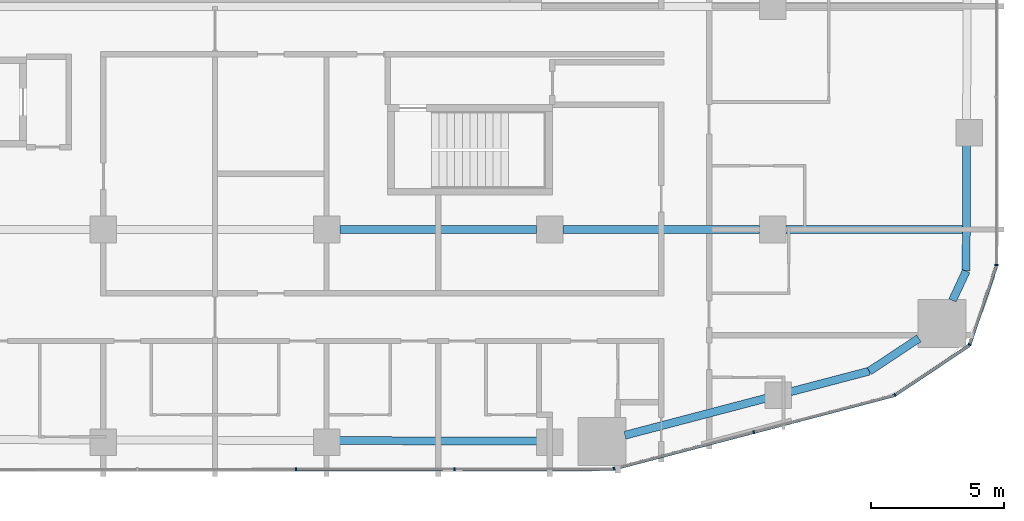
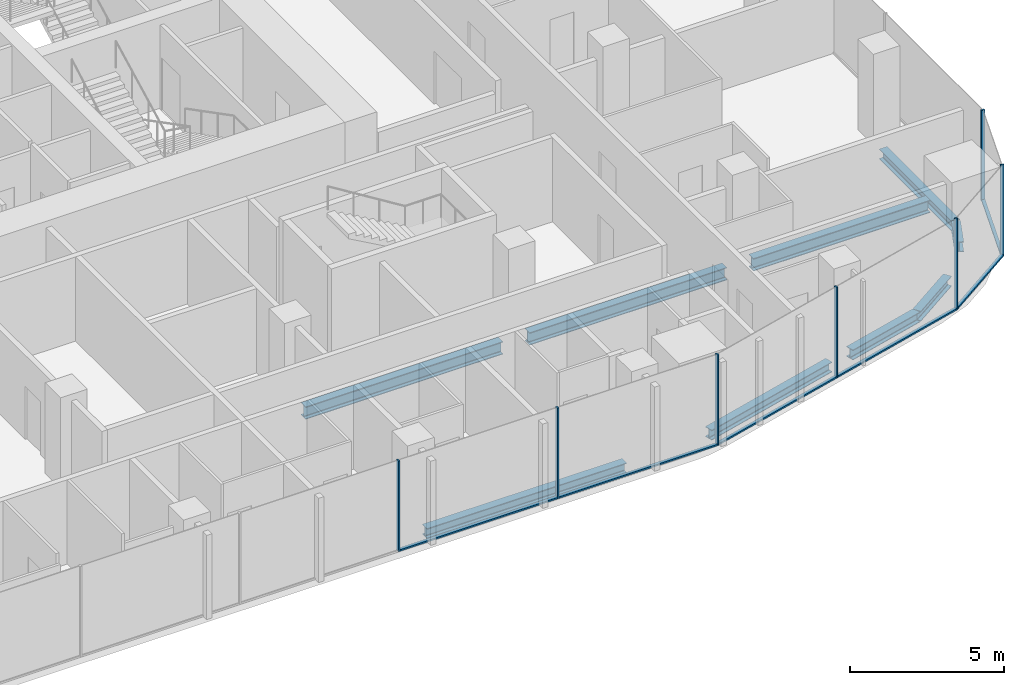
# One storey, part 6 of 26: 13 members, 9 beams, 5 elements without a shape of their own.
"""IFC4 building model written with IfcOpenShell, lengths in metres."""

from ifc_helpers import new_model, si_unit, direction, frame, origin, origin_2d, place, context, subcontext, project, spatial, rectangle, i_section, extrude, material, layer, layer_set, material_profile, profile_set, type_object, element, aggregate, save


model = new_model("IFC4")

# Units and contexts
model_context = context("Model", 3, precision=1e-05, world=origin(), true_north=direction((0.0, 1.0)))
body_context = subcontext(model_context, "Body", "Model", "MODEL_VIEW")
ifc_project = project(units=[si_unit("LENGTHUNIT", "METRE"), si_unit("AREAUNIT", "SQUARE_METRE"), si_unit("VOLUMEUNIT", "CUBIC_METRE"), si_unit("PLANEANGLEUNIT", "RADIAN"), si_unit("MASSUNIT", "GRAM", prefix="KILO")], contexts=[model_context])

# Site, building, storey
site_placement = place(None, origin())
site = spatial("IfcSite", under=ifc_project, at=site_placement, CompositionType="ELEMENT")
building_placement = place(site_placement, origin())
building = spatial("IfcBuilding", under=site, at=building_placement, Name="Marenta Gate Hotel Tower", CompositionType="ELEMENT")
storey_placement = place(building_placement, frame((0.0, 0.0, 65.300048828125)))
storey = spatial("IfcBuildingStorey", under=building, at=storey_placement, Name="L14", CompositionType="ELEMENT", Elevation=65.300048828125)

# Beams
ifc_material_1 = material(Name="Steel S355", Category="steel")
ifc_material_profile_1 = material_profile(ifc_material_1, i_section(OverallWidth=0.300048828125, OverallDepth=0.39990234375, WebThickness=0.013427734375, FlangeThickness=0.02392578125, FilletRadius=0.027099609375, at=origin_2d()), Name="HEB 400")
ifc_profile_set_1 = profile_set([ifc_material_profile_1], Name="Steel S355")
beam_type_1 = type_object("IfcBeamType", Name="Edge beam HEB 400", PredefinedType="SPANDREL", material=ifc_profile_set_1)
beam_1_placement = place(storey_placement, frame((28.291015625, -5.2119140625, -0.4599609375), z_axis=(-0.003337079684, -0.999994431934, 0.0), x_axis=(0.999994431934, -0.003337079684, 0.0)))
element("IfcBeam", 1, at=beam_1_placement, inside=storey, type_object=beam_type_1, Name="L14-EB-27", PredefinedType="SPANDREL", context=body_context, shape_type="SweptSolid", body=[
    extrude(i_section(OverallWidth=0.300048828125, OverallDepth=0.39990234375, WebThickness=0.013427734375, FlangeThickness=0.02392578125, FilletRadius=0.027099609375, at=origin_2d()), origin(), (0.0, 0.0, 1.0), 4.75537109375),
])
beam_2_placement = place(storey_placement, frame((28.275146484375, -9.96728515625, -0.4599609375), z_axis=(-0.423291965192, -0.905993329006, 0.0), x_axis=(0.905993329006, -0.423291965192, 0.0)))
element("IfcBeam", 2, at=beam_2_placement, inside=storey, type_object=beam_type_1, Name="L14-EB-28", PredefinedType="SPANDREL", context=body_context, shape_type="SweptSolid", body=[
    extrude(i_section(OverallWidth=0.300048828125, OverallDepth=0.39990234375, WebThickness=0.013427734375, FlangeThickness=0.02392578125, FilletRadius=0.027099609375, at=origin_2d()), origin(), (0.0, 0.0, 1.0), 1.21630859375),
])
beam_3_placement = place(storey_placement, frame((26.496337890625, -12.498291015625, -0.4599609375), z_axis=(-0.834510054819, -0.550992711754, 0.0), x_axis=(0.550992711754, -0.834510054819, 0.0)))
element("IfcBeam", 3, at=beam_3_placement, inside=storey, type_object=beam_type_1, Name="L14-EB-29", PredefinedType="SPANDREL", context=body_context, shape_type="SweptSolid", body=[
    extrude(i_section(OverallWidth=0.300048828125, OverallDepth=0.39990234375, WebThickness=0.013427734375, FlangeThickness=0.02392578125, FilletRadius=0.027099609375, at=origin_2d()), origin(), (0.0, 0.0, 1.0), 2.237060546875),
])
beam_4_placement = place(storey_placement, frame((24.62939453125, -13.73095703125, -0.4599609375), z_axis=(-0.967228272573, -0.253908386501, 0.0), x_axis=(0.253908386501, -0.967228272573, 0.0)))
element("IfcBeam", 4, at=beam_4_placement, inside=storey, type_object=beam_type_1, Name="L14-EB-30", PredefinedType="SPANDREL", context=body_context, shape_type="SweptSolid", body=[
    extrude(i_section(OverallWidth=0.300048828125, OverallDepth=0.39990234375, WebThickness=0.013427734375, FlangeThickness=0.02392578125, FilletRadius=0.027099609375, at=origin_2d()), origin(), (0.0, 0.0, 1.0), 3.0615234375),
])
beam_5_placement = place(storey_placement, frame((20.74560546875, -14.75048828125, -0.4599609375), z_axis=(-0.967231374294, -0.253896570638, 0.0), x_axis=(0.253896570638, -0.967231374294, 0.0)))
element("IfcBeam", 5, at=beam_5_placement, inside=storey, type_object=beam_type_1, Name="L14-EB-31", PredefinedType="SPANDREL", context=body_context, shape_type="SweptSolid", body=[
    extrude(i_section(OverallWidth=0.300048828125, OverallDepth=0.39990234375, WebThickness=0.013427734375, FlangeThickness=0.02392578125, FilletRadius=0.027099609375, at=origin_2d()), origin(), (0.0, 0.0, 1.0), 5.498291015625),
])
beam_6_placement = place(storey_placement, frame((12.139892578125, -16.365966796875, -0.4599609375), z_axis=(-0.99999624158, 0.002741683018, 0.0), x_axis=(-0.002741683018, -0.99999624158, 0.0)))
element("IfcBeam", 6, at=beam_6_placement, inside=storey, type_object=beam_type_1, Name="L14-EB-32", PredefinedType="SPANDREL", context=body_context, shape_type="SweptSolid", body=[
    extrude(i_section(OverallWidth=0.300048828125, OverallDepth=0.39990234375, WebThickness=0.013427734375, FlangeThickness=0.02392578125, FilletRadius=0.027099609375, at=origin_2d()), origin(), (0.0, 0.0, 1.0), 7.47998046875),
])
ifc_material_2 = material(Name="Steel S355", Category="steel")
ifc_material_profile_2 = material_profile(ifc_material_2, i_section(OverallWidth=0.300048828125, OverallDepth=0.5, WebThickness=0.014404296875, FlangeThickness=0.028076171875, FilletRadius=0.027099609375, at=origin_2d()), Name="HEB 500")
ifc_profile_set_2 = profile_set([ifc_material_profile_2], Name="Steel S355")
beam_type_2 = type_object("IfcBeamType", Name="Girder HEB 500", PredefinedType="BEAM", material=ifc_profile_set_2)
beam_7_placement = place(storey_placement, frame((4.699951171875, -8.39990234375, -0.510009765625), z_axis=(1.0, 0.0, 0.0), x_axis=(0.0, 1.0, 0.0)))
element("IfcBeam", 7, at=beam_7_placement, inside=storey, type_object=beam_type_2, Name="L14-GD-5", PredefinedType="BEAM", context=body_context, shape_type="SweptSolid", body=[
    extrude(i_section(OverallWidth=0.300048828125, OverallDepth=0.5, WebThickness=0.014404296875, FlangeThickness=0.028076171875, FilletRadius=0.027099609375, at=origin_2d()), origin(), (0.0, 0.0, 1.0), 7.400146484375),
])
beam_8_placement = place(storey_placement, frame((13.10009765625, -8.39990234375, -0.510009765625), z_axis=(1.0, 0.0, 0.0), x_axis=(0.0, 1.0, 0.0)))
element("IfcBeam", 8, at=beam_8_placement, inside=storey, type_object=beam_type_2, Name="L14-GD-6", PredefinedType="BEAM", context=body_context, shape_type="SweptSolid", body=[
    extrude(i_section(OverallWidth=0.300048828125, OverallDepth=0.5, WebThickness=0.014404296875, FlangeThickness=0.028076171875, FilletRadius=0.027099609375, at=origin_2d()), origin(), (0.0, 0.0, 1.0), 7.39990234375),
])
beam_9_placement = place(storey_placement, frame((21.5, -8.39990234375, -0.510009765625), z_axis=(1.0, 0.0, 0.0), x_axis=(0.0, 1.0, 0.0)))
element("IfcBeam", 9, at=beam_9_placement, inside=storey, type_object=beam_type_2, Name="L14-GD-7", PredefinedType="BEAM", context=body_context, shape_type="SweptSolid", body=[
    extrude(i_section(OverallWidth=0.300048828125, OverallDepth=0.5, WebThickness=0.014404296875, FlangeThickness=0.028076171875, FilletRadius=0.027099609375, at=origin_2d()), origin(), (0.0, 0.0, 1.0), 6.63037109375),
])

# Curtain wall, members
ifc_material_3 = material(Name="Tinted insulated glass in bronze anodised frame", Category="glass")
ifc_layer = layer(ifc_material_3, 0.1201171875)
ifc_layer_set = layer_set([ifc_layer], Name="Tinted insulated glass in bronze anodised frame")
curtain_wall_type = type_object("IfcCurtainWallType", Name="Tower unitised curtain wall CW1", PredefinedType="NOTDEFINED", material=ifc_layer_set)
curtain_wall_1_placement = place(storey_placement, origin())
curtain_wall_1 = element("IfcCurtainWall", 10, at=curtain_wall_1_placement, inside=storey, type_object=curtain_wall_type, Name="CW1 run G07", PredefinedType="NOTDEFINED")
ifc_material_4 = material(Name="Bronze anodised aluminium", Category="aluminium")
ifc_material_profile_3 = material_profile(ifc_material_4, rectangle(XDim=0.1201171875, YDim=0.06005859375, at=origin_2d()), Name="Mullion CW1 60x120 bronze anodised aluminium")
ifc_profile_set_3 = profile_set([ifc_material_profile_3], Name="Bronze anodised aluminium")
member_type_1 = type_object("IfcMemberType", Name="Mullion CW1 60x120 bronze anodised aluminium", PredefinedType="MULLION", material=ifc_profile_set_3)
member_1_placement = place(storey_placement, frame((3.048095703125, -17.427001953125, 0.0), z_axis=(0.0, 0.0, 1.0), x_axis=(-0.001161921639, 0.999999324969, 0.0)))
member_1 = element("IfcMember", 11, at=member_1_placement, type_object=member_type_1, Name="CW1 mullion 4", PredefinedType="MULLION", context=body_context, shape_type="SweptSolid", body=[
    extrude(rectangle(XDim=0.1201171875, YDim=0.06005859375, at=origin_2d()), origin(), (0.0, 0.0, 1.0), 3.599853515625),
])
member_2_placement = place(storey_placement, frame((9.020751953125, -17.419921875, 0.0), z_axis=(0.0, 0.0, 1.0), x_axis=(-0.001161921639, 0.999999324969, 0.0)))
member_2 = element("IfcMember", 12, at=member_2_placement, type_object=member_type_1, Name="CW1 mullion 5", PredefinedType="MULLION", context=body_context, shape_type="SweptSolid", body=[
    extrude(rectangle(XDim=0.1201171875, YDim=0.06005859375, at=origin_2d()), origin(), (0.0, 0.0, 1.0), 3.599853515625),
])

curtain_wall_2_placement = place(storey_placement, origin())
curtain_wall_2 = element("IfcCurtainWall", 13, at=curtain_wall_2_placement, inside=storey, type_object=curtain_wall_type, Name="CW1 run G08", PredefinedType="NOTDEFINED")
member_3_placement = place(storey_placement, frame((15.022705078125, -17.405517578125, 0.0), z_axis=(0.0, 0.0, 1.0), x_axis=(-0.25337182621, 0.967368966674, 0.0)))
member_3 = element("IfcMember", 14, at=member_3_placement, type_object=member_type_1, Name="CW1 mullion 1", PredefinedType="MULLION", context=body_context, shape_type="SweptSolid", body=[
    extrude(rectangle(XDim=0.1201171875, YDim=0.06005859375, at=origin_2d()), origin(), (0.0, 0.0, 1.0), 3.599853515625),
])
member_4_placement = place(storey_placement, frame((20.28076171875, -16.0283203125, 0.0), z_axis=(0.0, 0.0, 1.0), x_axis=(-0.25337182621, 0.967368966674, 0.0)))
member_4 = element("IfcMember", 15, at=member_4_placement, type_object=member_type_1, Name="CW1 mullion 2", PredefinedType="MULLION", context=body_context, shape_type="SweptSolid", body=[
    extrude(rectangle(XDim=0.1201171875, YDim=0.06005859375, at=origin_2d()), origin(), (0.0, 0.0, 1.0), 3.599853515625),
])

# Curtain wall, member
curtain_wall_3_placement = place(storey_placement, origin())
curtain_wall_3 = element("IfcCurtainWall", 16, at=curtain_wall_3_placement, inside=storey, type_object=curtain_wall_type, Name="CW1 run G09", PredefinedType="NOTDEFINED")
member_5_placement = place(storey_placement, frame((25.592529296875, -14.626953125, 0.0), z_axis=(0.0, 0.0, 1.0), x_axis=(-0.554034324326, 0.832493824282, 0.0)))
member_5 = element("IfcMember", 17, at=member_5_placement, type_object=member_type_1, Name="CW1 mullion 1", PredefinedType="MULLION", context=body_context, shape_type="SweptSolid", body=[
    extrude(rectangle(XDim=0.1201171875, YDim=0.06005859375, at=origin_2d()), origin(), (0.0, 0.0, 1.0), 3.599853515625),
])

curtain_wall_4_placement = place(storey_placement, origin())
curtain_wall_4 = element("IfcCurtainWall", 18, at=curtain_wall_4_placement, inside=storey, type_object=curtain_wall_type, Name="CW1 run G10", PredefinedType="NOTDEFINED")
member_6_placement = place(storey_placement, frame((28.405517578125, -12.73291015625, 0.0), z_axis=(0.0, 0.0, 1.0), x_axis=(-0.946729939312, 0.322028604337, 0.0)))
member_6 = element("IfcMember", 19, at=member_6_placement, type_object=member_type_1, Name="CW1 mullion 1", PredefinedType="MULLION", context=body_context, shape_type="SweptSolid", body=[
    extrude(rectangle(XDim=0.1201171875, YDim=0.06005859375, at=origin_2d()), origin(), (0.0, 0.0, 1.0), 3.599853515625),
])

curtain_wall_5_placement = place(storey_placement, origin())
curtain_wall_5 = element("IfcCurtainWall", 20, at=curtain_wall_5_placement, inside=storey, type_object=curtain_wall_type, Name="CW1 run G11", PredefinedType="NOTDEFINED")
member_7_placement = place(storey_placement, frame((29.4140625, -9.738037109375, 0.0), z_axis=(0.0, 0.0, 1.0), x_axis=(-1.0, 0.0, 0.0)))
member_7 = element("IfcMember", 21, at=member_7_placement, type_object=member_type_1, Name="CW1 mullion 1", PredefinedType="MULLION", context=body_context, shape_type="SweptSolid", body=[
    extrude(rectangle(XDim=0.1201171875, YDim=0.06005859375, at=origin_2d()), origin(), (0.0, 0.0, 1.0), 3.599853515625),
])
aggregate(curtain_wall_5, [member_7])

# Member
ifc_material_5 = material(Name="Bronze anodised aluminium", Category="aluminium")
ifc_material_profile_4 = material_profile(ifc_material_5, rectangle(XDim=0.1201171875, YDim=0.06005859375, at=origin_2d()), Name="Transom CW1 60x120 bronze anodised aluminium")
ifc_profile_set_4 = profile_set([ifc_material_profile_4], Name="Bronze anodised aluminium")
member_type_2 = type_object("IfcMemberType", Name="Transom CW1 60x120 bronze anodised aluminium", PredefinedType="USERDEFINED", material=ifc_profile_set_4)
member_8_placement = place(storey_placement, frame((3.077880859375, -17.427001953125, 0.030029296875), z_axis=(0.999999331697, 0.001156116326, 0.0), x_axis=(-0.001156116326, 0.999999331697, 0.0)))
member_8 = element("IfcMember", 22, at=member_8_placement, type_object=member_type_2, Name="CW1 transom 4.1", ObjectType="TRANSOM", PredefinedType="USERDEFINED", context=body_context, shape_type="SweptSolid", body=[
    extrude(rectangle(XDim=0.1201171875, YDim=0.06005859375, at=origin_2d()), origin(), (0.0, 0.0, 1.0), 5.912841796875),
])

member_9_placement = place(storey_placement, frame((9.05078125, -17.419921875, 0.030029296875), z_axis=(0.999999338434, 0.001150274483, 0.0), x_axis=(-0.001150274483, 0.999999338434, 0.0)))
member_9 = element("IfcMember", 23, at=member_9_placement, type_object=member_type_2, Name="CW1 transom 5.1", ObjectType="TRANSOM", PredefinedType="USERDEFINED", context=body_context, shape_type="SweptSolid", body=[
    extrude(rectangle(XDim=0.1201171875, YDim=0.06005859375, at=origin_2d()), origin(), (0.0, 0.0, 1.0), 5.94287109375),
])

aggregate(curtain_wall_1, [member_1, member_2, member_8, member_9])

member_10_placement = place(storey_placement, frame((15.0517578125, -17.39794921875, 0.030029296875), z_axis=(0.96736453676, 0.253388738935, 0.0), x_axis=(-0.253388738935, 0.96736453676, 0.0)))
member_10 = element("IfcMember", 24, at=member_10_placement, type_object=member_type_2, Name="CW1 transom 1.1", ObjectType="TRANSOM", PredefinedType="USERDEFINED", context=body_context, shape_type="SweptSolid", body=[
    extrude(rectangle(XDim=0.1201171875, YDim=0.06005859375, at=origin_2d()), origin(), (0.0, 0.0, 1.0), 5.37548828125),
])

member_11_placement = place(storey_placement, frame((20.3095703125, -16.020751953125, 0.030029296875), z_axis=(0.967368291574, 0.253374403713, 0.0), x_axis=(-0.253374403713, 0.967368291574, 0.0)))
member_11 = element("IfcMember", 25, at=member_11_placement, type_object=member_type_2, Name="CW1 transom 2.1", ObjectType="TRANSOM", PredefinedType="USERDEFINED", context=body_context, shape_type="SweptSolid", body=[
    extrude(rectangle(XDim=0.1201171875, YDim=0.06005859375, at=origin_2d()), origin(), (0.0, 0.0, 1.0), 5.435302734375),
])

aggregate(curtain_wall_2, [member_3, member_4, member_10, member_11])

member_12_placement = place(storey_placement, frame((25.617431640625, -14.6103515625, 0.030029296875), z_axis=(0.832511449854, 0.554007839169, 0.0), x_axis=(-0.554007839169, 0.832511449854, 0.0)))
member_12 = element("IfcMember", 26, at=member_12_placement, type_object=member_type_2, Name="CW1 transom 1.1", ObjectType="TRANSOM", PredefinedType="USERDEFINED", context=body_context, shape_type="SweptSolid", body=[
    extrude(rectangle(XDim=0.1201171875, YDim=0.06005859375, at=origin_2d()), origin(), (0.0, 0.0, 1.0), 3.337158203125),
])

aggregate(curtain_wall_3, [member_5, member_12])

member_13_placement = place(storey_placement, frame((28.4150390625, -12.70458984375, 0.030029296875), z_axis=(0.3220776996, 0.94671323822, 0.0), x_axis=(-0.94671323822, 0.3220776996, 0.0)))
member_13 = element("IfcMember", 27, at=member_13_placement, type_object=member_type_2, Name="CW1 transom 1.1", ObjectType="TRANSOM", PredefinedType="USERDEFINED", context=body_context, shape_type="SweptSolid", body=[
    extrude(rectangle(XDim=0.1201171875, YDim=0.06005859375, at=origin_2d()), origin(), (0.0, 0.0, 1.0), 3.101806640625),
])

aggregate(curtain_wall_4, [member_6, member_13])

save(model, "model.ifc")
